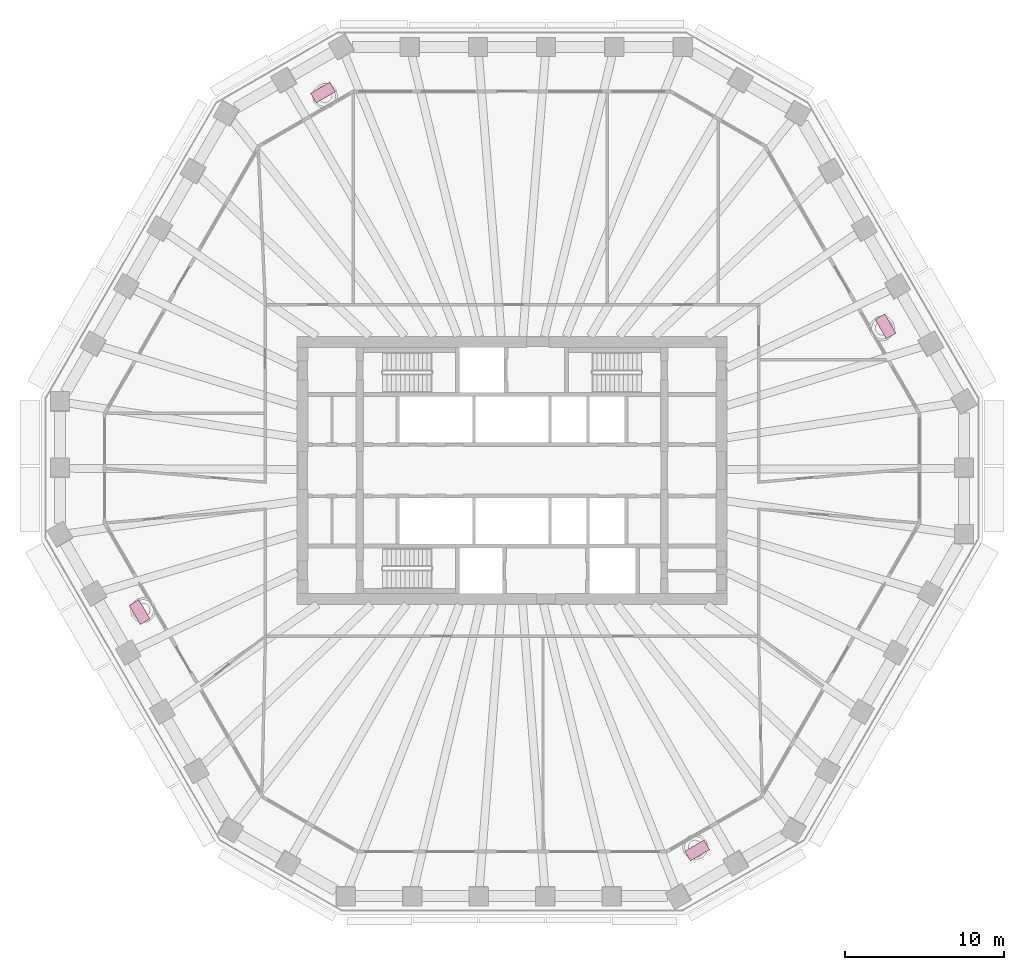
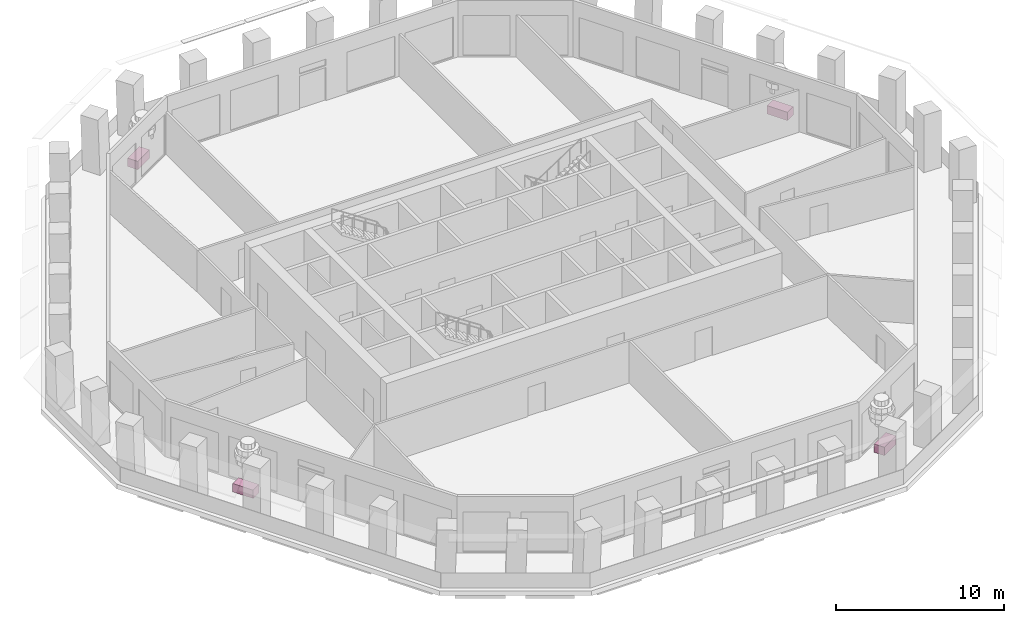
# One storey, part 11 of 12: 4 furniture elements.
"""IFC4 building model written with IfcOpenShell, lengths in metres."""

from ifc_helpers import new_model, si_unit, direction, frame, origin, origin_2d, place, context, subcontext, project, spatial, rectangle, extrude, material, type_object, element, save


model = new_model("IFC4")

# Units and contexts
model_context = context("Model", 3, precision=1e-05, world=origin(), true_north=direction((0.0, 1.0)))
body_context = subcontext(model_context, "Body", "Model", "MODEL_VIEW")
ifc_project = project(units=[si_unit("LENGTHUNIT", "METRE"), si_unit("AREAUNIT", "SQUARE_METRE"), si_unit("VOLUMEUNIT", "CUBIC_METRE"), si_unit("PLANEANGLEUNIT", "RADIAN"), si_unit("MASSUNIT", "GRAM", prefix="KILO")], contexts=[model_context])

# Site, building, storey
site_placement = place(None, origin())
site = spatial("IfcSite", under=ifc_project, at=site_placement, CompositionType="ELEMENT")
building_placement = place(site_placement, origin())
building = spatial("IfcBuilding", under=site, at=building_placement, Name="Frailejon Research Tower", CompositionType="ELEMENT")
storey_placement = place(building_placement, frame((0.0, 0.0, 149.60009765625)))
storey = spatial("IfcBuildingStorey", under=building, at=storey_placement, Name="L32", CompositionType="ELEMENT", Elevation=149.60009765625)

# Furniture
ifc_material = material(Name="Precast concrete C30/37 planter, terracotta", Category="masonry")
furniture_type = type_object("IfcFurnitureType", Name="Loggia planter 1400x700", AssemblyPlace="NOTDEFINED", PredefinedType="USERDEFINED", material=ifc_material)
for number, where, z_axis, x_axis, name in (
    (1, (23.552490234375, 9.08251953125, -0.000244140625), (0.0, 0.0, 1.0), (-0.5, 0.866025403784, 0.0), "Planter L32"),
    (2, (-11.916015625, 23.826904296875, -0.000244140625), (0.0, 0.0, 1.0), (-0.866025403784, -0.5, 0.0), "Planter L32"),
    (3, (-23.480712890625, -8.930419921875, -0.000244140625), (0.0, 0.0, 1.0), (0.5, -0.866025403784, 0.0), "Planter L32"),
    (4, (11.676513671875, -23.965087890625, -0.000244140625), (0.0, 0.0, 1.0), (0.866025403784, 0.5, 0.0), "Planter L32"),
):
    element("IfcFurniture", number, at=place(storey_placement, frame(where, z_axis=z_axis, x_axis=x_axis)), inside=storey, type_object=furniture_type, Name=name, ObjectType="PLANTER", PredefinedType="USERDEFINED", context=body_context, shape_type="SweptSolid", body=[
        extrude(rectangle(XDim=1.39990234375, YDim=0.699951171875, at=origin_2d()), origin(), (0.0, 0.0, 1.0), 0.60009765625),
    ])

save(model, "model.ifc")
